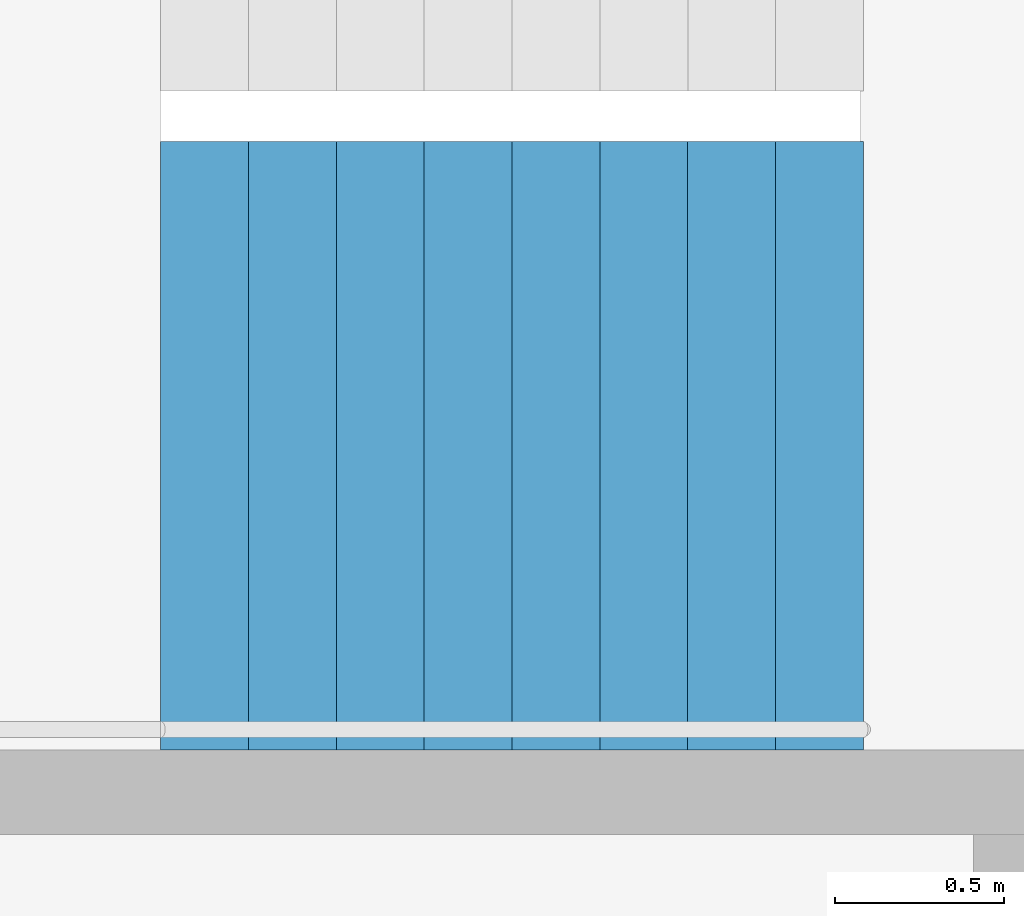
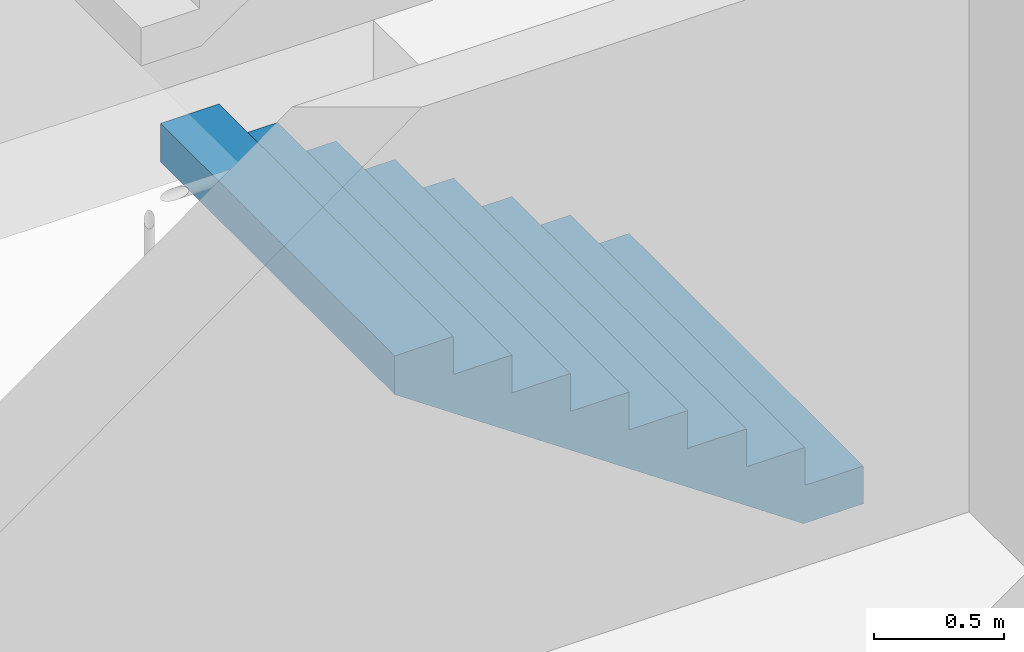
# One storey, part 24 of 26: 1 stair flight, 1 element without a shape of its own.
"""IFC4 building model written with IfcOpenShell, lengths in metres."""

import ifcopenshell
import ifcopenshell.guid

model = None  # the IFC model being written
_history = None  # IfcOwnerHistory: only IFC2X3 demands one
_inside = {}  # id of a spatial element -> (the spatial element, [elements in it])
_under = {}  # id of a project, library or spatial element -> (it, [spatial elements below it])
_declared = {}  # id of a project -> (the project, [libraries it declares])
_typed = {}  # id of a type object -> (the type object, [elements of that type])
_made_of = {}  # id of a material, layer set ... -> (it, [elements and type objects made of it])


def new_model(schema):
    """Start an empty IFC model of exactly this schema.

    Asked for "IFC4X3", IfcOpenShell would pick the latest addendum, in which some entities
    have other attributes; the version numbers below select the first issue.
    IFC2X3 requires an IfcOwnerHistory on every rooted entity: one is made here for all.
    """
    global model, _history
    if schema == "IFC4X3":
        model = ifcopenshell.file(schema_version=(4, 3, 0, 0))
    else:
        model = ifcopenshell.file(schema=schema)
    _inside.clear()
    _under.clear()
    _declared.clear()
    _typed.clear()
    _made_of.clear()
    _history = None
    if model.schema == "IFC2X3":
        org = make("IfcOrganization", Name="unknown")
        user = make(
            "IfcPersonAndOrganization",
            ThePerson=make("IfcPerson", FamilyName="unknown"),
            TheOrganization=org,
        )
        app = make(
            "IfcApplication",
            ApplicationDeveloper=org,
            Version="unknown",
            ApplicationFullName="unknown",
            ApplicationIdentifier="unknown",
        )
        _history = make(
            "IfcOwnerHistory",
            OwningUser=user,
            OwningApplication=app,
            ChangeAction="ADDED",
            CreationDate=0,
        )
    return model


def make(cls, **values):
    """One entity of the class cls with the attributes given. An attribute that is None is left unset."""
    return model.create_entity(
        cls, **{name: value for name, value in values.items() if value is not None}
    )


def rooted(cls, **values):
    """An entity with a GlobalId (a new one), such as an element, a storey or a relation."""
    return make(cls, GlobalId=ifcopenshell.guid.new(), OwnerHistory=_history, **values)


def si_unit(unit_type, name, prefix=None):
    """IfcSIUnit, for example si_unit("LENGTHUNIT", "METRE", prefix="MILLI")."""
    return make("IfcSIUnit", UnitType=unit_type, Prefix=prefix, Name=name)


def assignment(units):
    """IfcUnitAssignment: the units of a project."""
    return None if units is None else make("IfcUnitAssignment", Units=units)


def point(xyz):
    """IfcCartesianPoint."""
    return None if xyz is None else make("IfcCartesianPoint", Coordinates=xyz)


def direction(xyz):
    """IfcDirection."""
    return None if xyz is None else make("IfcDirection", DirectionRatios=xyz)


def frame(location, z_axis=None, x_axis=None):
    """IfcAxis2Placement3D, a coordinate frame: its origin and axes. An axis left out is left unset."""
    return make(
        "IfcAxis2Placement3D",
        Location=point(location),
        Axis=direction(z_axis),
        RefDirection=direction(x_axis),
    )


def origin():
    """The frame at (0, 0, 0) with its axes left unset."""
    return frame((0.0, 0.0, 0.0))


def place(relative_to, where):
    """IfcLocalPlacement: puts the frame where relative to a parent placement (None: the world)."""
    return make(
        "IfcLocalPlacement", PlacementRelTo=relative_to, RelativePlacement=where
    )


def context(
    kind, dimensions, precision=None, world=None, true_north=None, identifier=None
):
    """IfcGeometricRepresentationContext, for example the 3D "Model" context."""
    return make(
        "IfcGeometricRepresentationContext",
        ContextIdentifier=identifier,
        ContextType=kind,
        CoordinateSpaceDimension=dimensions,
        Precision=precision,
        WorldCoordinateSystem=world,
        TrueNorth=true_north,
    )


def subcontext(parent, identifier, kind, view, scale=None):
    """IfcGeometricRepresentationSubContext, for example "Body" below "Model"."""
    return make(
        "IfcGeometricRepresentationSubContext",
        ContextIdentifier=identifier,
        ContextType=kind,
        ParentContext=parent,
        TargetScale=scale,
        TargetView=view,
    )


def project(units=None, contexts=None):
    """IfcProject with its units and contexts."""
    return rooted(
        "IfcProject",
        Name="project",
        RepresentationContexts=contexts,
        UnitsInContext=assignment(units),
    )


def spatial(cls, under=None, at=None, **own):
    """A site, building, storey or space (cls), placed at a placement, below another one or the project."""
    s = rooted(cls, ObjectPlacement=at, **own)
    if under is not None:
        _under.setdefault(under.id(), (under, []))[1].append(s)
    return s


def point_list(points):
    """IfcCartesianPointList2D or 3D."""
    cls = (
        "IfcCartesianPointList2D" if len(points[0]) == 2 else "IfcCartesianPointList3D"
    )
    return make(cls, CoordList=points)


def triangles(points, corners, closed=None, point_numbers=None):
    """IfcTriangulatedFaceSet: each triangle names its three corners, points numbered from 1."""
    return make(
        "IfcTriangulatedFaceSet",
        Coordinates=point_list(points),
        Closed=closed,
        CoordIndex=corners,
        PnIndex=point_numbers,
    )


def shape(context_of_items, identifier, shape_type, items):
    """IfcShapeRepresentation: the items that make up one representation, for example the "Body"."""
    return make(
        "IfcShapeRepresentation",
        ContextOfItems=context_of_items,
        RepresentationIdentifier=identifier,
        RepresentationType=shape_type,
        Items=items,
    )


def material(Name=None, Category=None):
    """IfcMaterial."""
    return make("IfcMaterial", Name=Name, Category=Category)


def made_of(thing, what):
    """Note that an element or type object is made of a material, layer set ...; save() writes the relation."""
    if what is not None:
        _made_of.setdefault(what.id(), (what, []))[1].append(thing)
    return thing


def type_object(cls, material=None, **own):
    """A type object (cls), such as IfcWallType, which elements share."""
    return made_of(rooted(cls, **own), material)


def element(
    cls,
    number,
    at=None,
    inside=None,
    cuts=None,
    type_object=None,
    material=None,
    context=None,
    identifier="Body",
    shape_type=None,
    held_by="IfcProductDefinitionShape",
    body=None,
    shapes=None,
    **own,
):
    """One element of the class cls, such as IfcWall. Its Tag is "e" and its number.

    at: its placement. inside: the storey or other place that contains it. cuts: it is an
    opening in that element (IfcRelVoidsElement). A single representation is given by context,
    identifier, shape_type and body (its items); several are given by shapes. held_by: the class
    of the entity that holds the representations. save() writes the other relations.
    """
    e = rooted(cls, Tag="e%d" % number, ObjectPlacement=at, **own)
    if body is not None:
        shapes = [shape(context, identifier, shape_type, body)]
    if shapes is not None:
        e.Representation = make(held_by, Representations=shapes)
    if inside is not None:
        _inside.setdefault(inside.id(), (inside, []))[1].append(e)
    if cuts is not None:
        rooted(
            "IfcRelVoidsElement", RelatingBuildingElement=cuts, RelatedOpeningElement=e
        )
    if type_object is not None:
        _typed.setdefault(type_object.id(), (type_object, []))[1].append(e)
    return made_of(e, material)


def aggregate(whole, parts):
    """IfcRelAggregates: a whole, such as a stair, and the parts it consists of."""
    return rooted("IfcRelAggregates", RelatingObject=whole, RelatedObjects=parts)


def save(model, path):
    """Write the relations noted so far, then the file.

    IfcRelAggregates (storeys below a building ...), IfcRelContainedInSpatialStructure (elements
    in a storey), IfcRelDefinesByType, IfcRelAssociatesMaterial and IfcRelDeclares: one each for
    every whole, place, type object, material and project.
    """
    for whole, parts in _under.values():
        aggregate(whole, parts)
    for where, things in _inside.values():
        rooted(
            "IfcRelContainedInSpatialStructure",
            RelatedElements=things,
            RelatingStructure=where,
        )
    for kind, things in _typed.values():
        rooted("IfcRelDefinesByType", RelatedObjects=things, RelatingType=kind)
    for what, things in _made_of.values():
        rooted("IfcRelAssociatesMaterial", RelatedObjects=things, RelatingMaterial=what)
    for by, libraries in _declared.values():
        rooted("IfcRelDeclares", RelatingContext=by, RelatedDefinitions=libraries)
    model.write(path)


model = new_model("IFC4")

# Units and contexts
model_context = context("Model", 3, precision=1e-05, world=origin(), true_north=direction((0.0, 1.0)))
body_context = subcontext(model_context, "Body", "Model", "MODEL_VIEW")
ifc_project = project(units=[si_unit("LENGTHUNIT", "METRE"), si_unit("AREAUNIT", "SQUARE_METRE"), si_unit("VOLUMEUNIT", "CUBIC_METRE"), si_unit("PLANEANGLEUNIT", "RADIAN"), si_unit("MASSUNIT", "GRAM", prefix="KILO")], contexts=[model_context])

# Site, building, storey
site_placement = place(None, origin())
site = spatial("IfcSite", under=ifc_project, at=site_placement, CompositionType="ELEMENT")
building_placement = place(site_placement, origin())
building = spatial("IfcBuilding", under=site, at=building_placement, Name="Hakoniwa Tower and Hamabe Station Hall", CompositionType="ELEMENT")
storey_placement = place(building_placement, frame((0.0, 0.0, 159.800048828125)))
storey = spatial("IfcBuildingStorey", under=building, at=storey_placement, Name="L45", CompositionType="ELEMENT", Elevation=159.800048828125)

# Stair, stair flight
ifc_material_1 = material(Name="Concrete C40", Category="concrete")
stair_type = type_object("IfcStairType", Name="ESCAPE STAIR 1800", PredefinedType="HALF_TURN_STAIR", material=ifc_material_1)
stair_placement = place(storey_placement, origin())
stair = element("IfcStair", 1, at=stair_placement, inside=storey, type_object=stair_type, Name="Escape stair ST-3 L45", PredefinedType="HALF_TURN_STAIR")
ifc_material_2 = material(Name="Concrete C40", Category="concrete")
stair_flight_type = type_object("IfcStairFlightType", Name="STAIR FLIGHT 1800", PredefinedType="STRAIGHT", material=ifc_material_2)
stair_flight_placement = place(storey_placement, frame((24.39990234375, 4.64990234375, 0.0), z_axis=(0.0, 0.0, 1.0), x_axis=(-1.0, 0.0, 0.0)))
stair_flight = element("IfcStairFlight", 2, at=stair_flight_placement, type_object=stair_flight_type, Name="ST-3 flight 1", NumberOfRisers=9, NumberOfTreads=8, PredefinedType="STRAIGHT", RiserHeight=0.177777778, TreadLength=0.26, context=body_context, shape_type="Tessellation", body=[
    triangles([(0.0, 0.89990234375, 0.0), (0.260009765625, 0.89990234375, 0.0), (0.265625, 0.89990234375, 0.0), (0.52001953125, 0.89990234375, 0.174072265625), (0.780029296875, 0.89990234375, 0.351806640625), (1.0400390625, 0.89990234375, 0.529541015625), (1.300048828125, 0.89990234375, 0.707275390625), (1.56005859375, 0.89990234375, 0.885009765625), (1.820068359375, 0.89990234375, 1.062744140625), (2.080078125, 0.89990234375, 1.24072265625), (2.080078125, 0.89990234375, 1.422119140625), (1.820068359375, 0.89990234375, 1.422119140625), (1.820068359375, 0.89990234375, 1.244384765625), (1.56005859375, 0.89990234375, 1.244384765625), (1.56005859375, 0.89990234375, 1.066650390625), (1.300048828125, 0.89990234375, 1.066650390625), (1.300048828125, 0.89990234375, 0.888916015625), (1.0400390625, 0.89990234375, 0.888916015625), (1.0400390625, 0.89990234375, 0.711181640625), (0.780029296875, 0.89990234375, 0.711181640625), (0.780029296875, 0.89990234375, 0.533447265625), (0.52001953125, 0.89990234375, 0.533447265625), (0.52001953125, 0.89990234375, 0.35546875), (0.265625, 0.89990234375, 0.35546875), (0.260009765625, 0.89990234375, 0.35546875), (0.260009765625, 0.89990234375, 0.177734375), (0.0, 0.89990234375, 0.177734375), (0.0, 0.06005859375, 0.0), (0.260009765625, 0.06005859375, 0.0), (0.265625, 0.06005859375, 0.0), (0.52001953125, 0.06005859375, 0.174072265625), (0.780029296875, 0.06005859375, 0.351806640625), (1.0400390625, 0.06005859375, 0.529541015625), (1.300048828125, 0.06005859375, 0.707275390625), (1.56005859375, 0.06005859375, 0.885009765625), (1.820068359375, 0.06005859375, 1.062744140625), (2.080078125, 0.06005859375, 1.24072265625), (2.080078125, 0.06005859375, 1.422119140625), (1.820068359375, 0.06005859375, 1.422119140625), (1.820068359375, 0.06005859375, 1.244384765625), (1.56005859375, 0.06005859375, 1.244384765625), (1.56005859375, 0.06005859375, 1.066650390625), (1.300048828125, 0.06005859375, 1.066650390625), (1.300048828125, 0.06005859375, 0.888916015625), (1.0400390625, 0.06005859375, 0.888916015625), (1.0400390625, 0.06005859375, 0.711181640625), (0.780029296875, 0.06005859375, 0.711181640625), (0.780029296875, 0.06005859375, 0.533447265625), (0.52001953125, 0.06005859375, 0.533447265625), (0.52001953125, 0.06005859375, 0.35546875), (0.265625, 0.06005859375, 0.35546875), (0.260009765625, 0.06005859375, 0.35546875), (0.260009765625, 0.06005859375, 0.177734375), (0.0, 0.06005859375, 0.177734375), (0.0, 0.04296875, 0.0), (0.260009765625, 0.04296875, 0.0), (0.265625, 0.04296875, 0.0), (0.52001953125, 0.04296875, 0.174072265625), (0.780029296875, 0.04296875, 0.351806640625), (1.0400390625, 0.04296875, 0.529541015625), (1.300048828125, 0.04296875, 0.707275390625), (1.56005859375, 0.04296875, 0.885009765625), (1.820068359375, 0.04296875, 1.062744140625), (2.080078125, 0.04296875, 1.24072265625), (2.080078125, 0.04296875, 1.422119140625), (1.820068359375, 0.04296875, 1.422119140625), (1.820068359375, 0.04296875, 1.244384765625), (1.56005859375, 0.04296875, 1.244384765625), (1.56005859375, 0.04296875, 1.066650390625), (1.300048828125, 0.04296875, 1.066650390625), (1.300048828125, 0.04296875, 0.888916015625), (1.0400390625, 0.04296875, 0.888916015625), (1.0400390625, 0.04296875, 0.711181640625), (0.780029296875, 0.04296875, 0.711181640625), (0.780029296875, 0.04296875, 0.533447265625), (0.52001953125, 0.04296875, 0.533447265625), (0.52001953125, 0.04296875, 0.35546875), (0.265625, 0.04296875, 0.35546875), (0.260009765625, 0.04296875, 0.35546875), (0.260009765625, 0.04296875, 0.177734375), (0.0, 0.04296875, 0.177734375), (0.0, 0.025634765625, 0.0), (0.260009765625, 0.025634765625, 0.0), (0.265625, 0.025634765625, 0.0), (0.52001953125, 0.025634765625, 0.174072265625), (0.780029296875, 0.025634765625, 0.351806640625), (1.0400390625, 0.025634765625, 0.529541015625), (1.300048828125, 0.025634765625, 0.707275390625), (1.56005859375, 0.025634765625, 0.885009765625), (1.820068359375, 0.025634765625, 1.062744140625), (2.080078125, 0.025634765625, 1.24072265625), (2.080078125, 0.025634765625, 1.422119140625), (1.820068359375, 0.025634765625, 1.422119140625), (1.820068359375, 0.025634765625, 1.244384765625), (1.56005859375, 0.025634765625, 1.244384765625), (1.56005859375, 0.025634765625, 1.066650390625), (1.300048828125, 0.025634765625, 1.066650390625), (1.300048828125, 0.025634765625, 0.888916015625), (1.0400390625, 0.025634765625, 0.888916015625), (1.0400390625, 0.025634765625, 0.711181640625), (0.780029296875, 0.025634765625, 0.711181640625), (0.780029296875, 0.025634765625, 0.533447265625), (0.52001953125, 0.025634765625, 0.533447265625), (0.52001953125, 0.025634765625, 0.35546875), (0.265625, 0.025634765625, 0.35546875), (0.260009765625, 0.025634765625, 0.35546875), (0.260009765625, 0.025634765625, 0.177734375), (0.0, 0.025634765625, 0.177734375), (0.0, 0.008544921875, 0.0), (0.260009765625, 0.008544921875, 0.0), (0.265625, 0.008544921875, 0.0), (0.52001953125, 0.008544921875, 0.174072265625), (0.780029296875, 0.008544921875, 0.351806640625), (1.0400390625, 0.008544921875, 0.529541015625), (1.300048828125, 0.008544921875, 0.707275390625), (1.56005859375, 0.008544921875, 0.885009765625), (1.820068359375, 0.008544921875, 1.062744140625), (2.080078125, 0.008544921875, 1.24072265625), (2.080078125, 0.008544921875, 1.422119140625), (1.820068359375, 0.008544921875, 1.422119140625), (1.820068359375, 0.008544921875, 1.244384765625), (1.56005859375, 0.008544921875, 1.244384765625), (1.56005859375, 0.008544921875, 1.066650390625), (1.300048828125, 0.008544921875, 1.066650390625), (1.300048828125, 0.008544921875, 0.888916015625), (1.0400390625, 0.008544921875, 0.888916015625), (1.0400390625, 0.008544921875, 0.711181640625), (0.780029296875, 0.008544921875, 0.711181640625), (0.780029296875, 0.008544921875, 0.533447265625), (0.52001953125, 0.008544921875, 0.533447265625), (0.52001953125, 0.008544921875, 0.35546875), (0.265625, 0.008544921875, 0.35546875), (0.260009765625, 0.008544921875, 0.35546875), (0.260009765625, 0.008544921875, 0.177734375), (0.0, 0.008544921875, 0.177734375), (0.0, -0.008544921875, 0.0), (0.260009765625, -0.008544921875, 0.0), (0.265625, -0.008544921875, 0.0), (0.52001953125, -0.008544921875, 0.174072265625), (0.780029296875, -0.008544921875, 0.351806640625), (1.0400390625, -0.008544921875, 0.529541015625), (1.300048828125, -0.008544921875, 0.707275390625), (1.56005859375, -0.008544921875, 0.885009765625), (1.820068359375, -0.008544921875, 1.062744140625), (2.080078125, -0.008544921875, 1.24072265625), (2.080078125, -0.008544921875, 1.422119140625), (1.820068359375, -0.008544921875, 1.422119140625), (1.820068359375, -0.008544921875, 1.244384765625), (1.56005859375, -0.008544921875, 1.244384765625), (1.56005859375, -0.008544921875, 1.066650390625), (1.300048828125, -0.008544921875, 1.066650390625), (1.300048828125, -0.008544921875, 0.888916015625), (1.0400390625, -0.008544921875, 0.888916015625), (1.0400390625, -0.008544921875, 0.711181640625), (0.780029296875, -0.008544921875, 0.711181640625), (0.780029296875, -0.008544921875, 0.533447265625), (0.52001953125, -0.008544921875, 0.533447265625), (0.52001953125, -0.008544921875, 0.35546875), (0.265625, -0.008544921875, 0.35546875), (0.260009765625, -0.008544921875, 0.35546875), (0.260009765625, -0.008544921875, 0.177734375), (0.0, -0.008544921875, 0.177734375), (0.0, -0.025634765625, 0.0), (0.260009765625, -0.025634765625, 0.0), (0.265625, -0.025634765625, 0.0), (0.52001953125, -0.025634765625, 0.174072265625), (0.780029296875, -0.025634765625, 0.351806640625), (1.0400390625, -0.025634765625, 0.529541015625), (1.300048828125, -0.025634765625, 0.707275390625), (1.56005859375, -0.025634765625, 0.885009765625), (1.820068359375, -0.025634765625, 1.062744140625), (2.080078125, -0.025634765625, 1.24072265625), (2.080078125, -0.025634765625, 1.422119140625), (1.820068359375, -0.025634765625, 1.422119140625), (1.820068359375, -0.025634765625, 1.244384765625), (1.56005859375, -0.025634765625, 1.244384765625), (1.56005859375, -0.025634765625, 1.066650390625), (1.300048828125, -0.025634765625, 1.066650390625), (1.300048828125, -0.025634765625, 0.888916015625), (1.0400390625, -0.025634765625, 0.888916015625), (1.0400390625, -0.025634765625, 0.711181640625), (0.780029296875, -0.025634765625, 0.711181640625), (0.780029296875, -0.025634765625, 0.533447265625), (0.52001953125, -0.025634765625, 0.533447265625), (0.52001953125, -0.025634765625, 0.35546875), (0.265625, -0.025634765625, 0.35546875), (0.260009765625, -0.025634765625, 0.35546875), (0.260009765625, -0.025634765625, 0.177734375), (0.0, -0.025634765625, 0.177734375), (0.0, -0.04296875, 0.0), (0.260009765625, -0.04296875, 0.0), (0.265625, -0.04296875, 0.0), (0.52001953125, -0.04296875, 0.174072265625), (0.780029296875, -0.04296875, 0.351806640625), (1.0400390625, -0.04296875, 0.529541015625), (1.300048828125, -0.04296875, 0.707275390625), (1.56005859375, -0.04296875, 0.885009765625), (1.820068359375, -0.04296875, 1.062744140625), (2.080078125, -0.04296875, 1.24072265625), (2.080078125, -0.04296875, 1.422119140625), (1.820068359375, -0.04296875, 1.422119140625), (1.820068359375, -0.04296875, 1.244384765625), (1.56005859375, -0.04296875, 1.244384765625), (1.56005859375, -0.04296875, 1.066650390625), (1.300048828125, -0.04296875, 1.066650390625), (1.300048828125, -0.04296875, 0.888916015625), (1.0400390625, -0.04296875, 0.888916015625), (1.0400390625, -0.04296875, 0.711181640625), (0.780029296875, -0.04296875, 0.711181640625), (0.780029296875, -0.04296875, 0.533447265625), (0.52001953125, -0.04296875, 0.533447265625), (0.52001953125, -0.04296875, 0.35546875), (0.265625, -0.04296875, 0.35546875), (0.260009765625, -0.04296875, 0.35546875), (0.260009765625, -0.04296875, 0.177734375), (0.0, -0.04296875, 0.177734375), (0.0, -0.06005859375, 0.0), (0.260009765625, -0.06005859375, 0.0), (0.265625, -0.06005859375, 0.0), (0.52001953125, -0.06005859375, 0.174072265625), (0.780029296875, -0.06005859375, 0.351806640625), (1.0400390625, -0.06005859375, 0.529541015625), (1.300048828125, -0.06005859375, 0.707275390625), (1.56005859375, -0.06005859375, 0.885009765625), (1.820068359375, -0.06005859375, 1.062744140625), (2.080078125, -0.06005859375, 1.24072265625), (2.080078125, -0.06005859375, 1.422119140625), (1.820068359375, -0.06005859375, 1.422119140625), (1.820068359375, -0.06005859375, 1.244384765625), (1.56005859375, -0.06005859375, 1.244384765625), (1.56005859375, -0.06005859375, 1.066650390625), (1.300048828125, -0.06005859375, 1.066650390625), (1.300048828125, -0.06005859375, 0.888916015625), (1.0400390625, -0.06005859375, 0.888916015625), (1.0400390625, -0.06005859375, 0.711181640625), (0.780029296875, -0.06005859375, 0.711181640625), (0.780029296875, -0.06005859375, 0.533447265625), (0.52001953125, -0.06005859375, 0.533447265625), (0.52001953125, -0.06005859375, 0.35546875), (0.265625, -0.06005859375, 0.35546875), (0.260009765625, -0.06005859375, 0.35546875), (0.260009765625, -0.06005859375, 0.177734375), (0.0, -0.06005859375, 0.177734375), (0.0, -0.89990234375, 0.0), (0.260009765625, -0.89990234375, 0.0), (0.265625, -0.89990234375, 0.0), (0.52001953125, -0.89990234375, 0.174072265625), (0.780029296875, -0.89990234375, 0.351806640625), (1.0400390625, -0.89990234375, 0.529541015625), (1.300048828125, -0.89990234375, 0.707275390625), (1.56005859375, -0.89990234375, 0.885009765625), (1.820068359375, -0.89990234375, 1.062744140625), (2.080078125, -0.89990234375, 1.24072265625), (2.080078125, -0.89990234375, 1.422119140625), (1.820068359375, -0.89990234375, 1.422119140625), (1.820068359375, -0.89990234375, 1.244384765625), (1.56005859375, -0.89990234375, 1.244384765625), (1.56005859375, -0.89990234375, 1.066650390625), (1.300048828125, -0.89990234375, 1.066650390625), (1.300048828125, -0.89990234375, 0.888916015625), (1.0400390625, -0.89990234375, 0.888916015625), (1.0400390625, -0.89990234375, 0.711181640625), (0.780029296875, -0.89990234375, 0.711181640625), (0.780029296875, -0.89990234375, 0.533447265625), (0.52001953125, -0.89990234375, 0.533447265625), (0.52001953125, -0.89990234375, 0.35546875), (0.265625, -0.89990234375, 0.35546875), (0.260009765625, -0.89990234375, 0.35546875), (0.260009765625, -0.89990234375, 0.177734375), (0.0, -0.89990234375, 0.177734375)], [[2, 27, 26], [245, 269, 270], [2, 1, 27], [245, 270, 244], [3, 25, 24], [246, 267, 268], [3, 26, 25], [246, 268, 269], [3, 2, 26], [246, 269, 245], [4, 24, 23], [247, 266, 267], [4, 3, 24], [247, 267, 246], [5, 22, 21], [248, 264, 265], [5, 23, 22], [248, 265, 266], [5, 4, 23], [248, 266, 247], [6, 20, 19], [249, 262, 263], [6, 21, 20], [249, 263, 264], [6, 5, 21], [249, 264, 248], [7, 18, 17], [250, 260, 261], [7, 19, 18], [250, 261, 262], [7, 6, 19], [250, 262, 249], [8, 16, 15], [251, 258, 259], [8, 17, 16], [251, 259, 260], [8, 7, 17], [251, 260, 250], [9, 14, 13], [252, 256, 257], [9, 15, 14], [252, 257, 258], [9, 8, 15], [252, 258, 251], [10, 12, 11], [253, 254, 255], [10, 13, 12], [253, 255, 256], [10, 9, 13], [253, 256, 252], [1, 2, 29], [1, 29, 28], [28, 29, 56], [28, 56, 55], [55, 56, 83], [55, 83, 82], [82, 83, 110], [82, 110, 109], [109, 110, 137], [109, 137, 136], [136, 137, 164], [136, 164, 163], [163, 164, 191], [163, 191, 190], [190, 191, 218], [190, 218, 217], [217, 218, 245], [217, 245, 244], [2, 3, 30], [2, 30, 29], [29, 30, 57], [29, 57, 56], [56, 57, 84], [56, 84, 83], [83, 84, 111], [83, 111, 110], [110, 111, 138], [110, 138, 137], [137, 138, 165], [137, 165, 164], [164, 165, 192], [164, 192, 191], [191, 192, 219], [191, 219, 218], [218, 219, 246], [218, 246, 245], [3, 4, 31], [3, 31, 30], [30, 31, 58], [30, 58, 57], [57, 58, 85], [57, 85, 84], [84, 85, 112], [84, 112, 111], [111, 112, 139], [111, 139, 138], [138, 139, 166], [138, 166, 165], [165, 166, 193], [165, 193, 192], [192, 193, 220], [192, 220, 219], [219, 220, 247], [219, 247, 246], [4, 5, 32], [4, 32, 31], [31, 32, 59], [31, 59, 58], [58, 59, 86], [58, 86, 85], [85, 86, 113], [85, 113, 112], [112, 113, 140], [112, 140, 139], [139, 140, 167], [139, 167, 166], [166, 167, 194], [166, 194, 193], [193, 194, 221], [193, 221, 220], [220, 221, 248], [220, 248, 247], [5, 6, 33], [5, 33, 32], [32, 33, 60], [32, 60, 59], [59, 60, 87], [59, 87, 86], [86, 87, 114], [86, 114, 113], [113, 114, 141], [113, 141, 140], [140, 141, 168], [140, 168, 167], [167, 168, 195], [167, 195, 194], [194, 195, 222], [194, 222, 221], [221, 222, 249], [221, 249, 248], [6, 7, 34], [6, 34, 33], [33, 34, 61], [33, 61, 60], [60, 61, 88], [60, 88, 87], [87, 88, 115], [87, 115, 114], [114, 115, 142], [114, 142, 141], [141, 142, 169], [141, 169, 168], [168, 169, 196], [168, 196, 195], [195, 196, 223], [195, 223, 222], [222, 223, 250], [222, 250, 249], [7, 8, 35], [7, 35, 34], [34, 35, 62], [34, 62, 61], [61, 62, 89], [61, 89, 88], [88, 89, 116], [88, 116, 115], [115, 116, 143], [115, 143, 142], [142, 143, 170], [142, 170, 169], [169, 170, 197], [169, 197, 196], [196, 197, 224], [196, 224, 223], [223, 224, 251], [223, 251, 250], [8, 9, 36], [8, 36, 35], [35, 36, 63], [35, 63, 62], [62, 63, 90], [62, 90, 89], [89, 90, 117], [89, 117, 116], [116, 117, 144], [116, 144, 143], [143, 144, 171], [143, 171, 170], [170, 171, 198], [170, 198, 197], [197, 198, 225], [197, 225, 224], [224, 225, 252], [224, 252, 251], [9, 10, 37], [9, 37, 36], [36, 37, 64], [36, 64, 63], [63, 64, 91], [63, 91, 90], [90, 91, 118], [90, 118, 117], [117, 118, 145], [117, 145, 144], [144, 145, 172], [144, 172, 171], [171, 172, 199], [171, 199, 198], [198, 199, 226], [198, 226, 225], [225, 226, 253], [225, 253, 252], [10, 11, 38], [10, 38, 37], [37, 38, 65], [37, 65, 64], [64, 65, 92], [64, 92, 91], [91, 92, 119], [91, 119, 118], [118, 119, 146], [118, 146, 145], [145, 146, 173], [145, 173, 172], [172, 173, 200], [172, 200, 199], [199, 200, 227], [199, 227, 226], [226, 227, 254], [226, 254, 253], [11, 12, 39], [11, 39, 38], [38, 39, 66], [38, 66, 65], [65, 66, 93], [65, 93, 92], [92, 93, 120], [92, 120, 119], [119, 120, 147], [119, 147, 146], [146, 147, 174], [146, 174, 173], [173, 174, 201], [173, 201, 200], [200, 201, 228], [200, 228, 227], [227, 228, 255], [227, 255, 254], [12, 13, 40], [12, 40, 39], [39, 40, 67], [39, 67, 66], [66, 67, 94], [66, 94, 93], [93, 94, 121], [93, 121, 120], [120, 121, 148], [120, 148, 147], [147, 148, 175], [147, 175, 174], [174, 175, 202], [174, 202, 201], [201, 202, 229], [201, 229, 228], [228, 229, 256], [228, 256, 255], [13, 14, 41], [13, 41, 40], [40, 41, 68], [40, 68, 67], [67, 68, 95], [67, 95, 94], [94, 95, 122], [94, 122, 121], [121, 122, 149], [121, 149, 148], [148, 149, 176], [148, 176, 175], [175, 176, 203], [175, 203, 202], [202, 203, 230], [202, 230, 229], [229, 230, 257], [229, 257, 256], [14, 15, 42], [14, 42, 41], [41, 42, 69], [41, 69, 68], [68, 69, 96], [68, 96, 95], [95, 96, 123], [95, 123, 122], [122, 123, 150], [122, 150, 149], [149, 150, 177], [149, 177, 176], [176, 177, 204], [176, 204, 203], [203, 204, 231], [203, 231, 230], [230, 231, 258], [230, 258, 257], [15, 16, 43], [15, 43, 42], [42, 43, 70], [42, 70, 69], [69, 70, 97], [69, 97, 96], [96, 97, 124], [96, 124, 123], [123, 124, 151], [123, 151, 150], [150, 151, 178], [150, 178, 177], [177, 178, 205], [177, 205, 204], [204, 205, 232], [204, 232, 231], [231, 232, 259], [231, 259, 258], [16, 17, 44], [16, 44, 43], [43, 44, 71], [43, 71, 70], [70, 71, 98], [70, 98, 97], [97, 98, 125], [97, 125, 124], [124, 125, 152], [124, 152, 151], [151, 152, 179], [151, 179, 178], [178, 179, 206], [178, 206, 205], [205, 206, 233], [205, 233, 232], [232, 233, 260], [232, 260, 259], [17, 18, 45], [17, 45, 44], [44, 45, 72], [44, 72, 71], [71, 72, 99], [71, 99, 98], [98, 99, 126], [98, 126, 125], [125, 126, 153], [125, 153, 152], [152, 153, 180], [152, 180, 179], [179, 180, 207], [179, 207, 206], [206, 207, 234], [206, 234, 233], [233, 234, 261], [233, 261, 260], [18, 19, 46], [18, 46, 45], [45, 46, 73], [45, 73, 72], [72, 73, 100], [72, 100, 99], [99, 100, 127], [99, 127, 126], [126, 127, 154], [126, 154, 153], [153, 154, 181], [153, 181, 180], [180, 181, 208], [180, 208, 207], [207, 208, 235], [207, 235, 234], [234, 235, 262], [234, 262, 261], [19, 20, 47], [19, 47, 46], [46, 47, 74], [46, 74, 73], [73, 74, 101], [73, 101, 100], [100, 101, 128], [100, 128, 127], [127, 128, 155], [127, 155, 154], [154, 155, 182], [154, 182, 181], [181, 182, 209], [181, 209, 208], [208, 209, 236], [208, 236, 235], [235, 236, 263], [235, 263, 262], [20, 21, 48], [20, 48, 47], [47, 48, 75], [47, 75, 74], [74, 75, 102], [74, 102, 101], [101, 102, 129], [101, 129, 128], [128, 129, 156], [128, 156, 155], [155, 156, 183], [155, 183, 182], [182, 183, 210], [182, 210, 209], [209, 210, 237], [209, 237, 236], [236, 237, 264], [236, 264, 263], [21, 22, 49], [21, 49, 48], [48, 49, 76], [48, 76, 75], [75, 76, 103], [75, 103, 102], [102, 103, 130], [102, 130, 129], [129, 130, 157], [129, 157, 156], [156, 157, 184], [156, 184, 183], [183, 184, 211], [183, 211, 210], [210, 211, 238], [210, 238, 237], [237, 238, 265], [237, 265, 264], [22, 23, 50], [22, 50, 49], [49, 50, 77], [49, 77, 76], [76, 77, 104], [76, 104, 103], [103, 104, 131], [103, 131, 130], [130, 131, 158], [130, 158, 157], [157, 158, 185], [157, 185, 184], [184, 185, 212], [184, 212, 211], [211, 212, 239], [211, 239, 238], [238, 239, 266], [238, 266, 265], [23, 24, 51], [23, 51, 50], [50, 51, 78], [50, 78, 77], [77, 78, 105], [77, 105, 104], [104, 105, 132], [104, 132, 131], [131, 132, 159], [131, 159, 158], [158, 159, 186], [158, 186, 185], [185, 186, 213], [185, 213, 212], [212, 213, 240], [212, 240, 239], [239, 240, 267], [239, 267, 266], [24, 25, 52], [24, 52, 51], [51, 52, 79], [51, 79, 78], [78, 79, 106], [78, 106, 105], [105, 106, 133], [105, 133, 132], [132, 133, 160], [132, 160, 159], [159, 160, 187], [159, 187, 186], [186, 187, 214], [186, 214, 213], [213, 214, 241], [213, 241, 240], [240, 241, 268], [240, 268, 267], [25, 26, 53], [25, 53, 52], [52, 53, 80], [52, 80, 79], [79, 80, 107], [79, 107, 106], [106, 107, 134], [106, 134, 133], [133, 134, 161], [133, 161, 160], [160, 161, 188], [160, 188, 187], [187, 188, 215], [187, 215, 214], [214, 215, 242], [214, 242, 241], [241, 242, 269], [241, 269, 268], [26, 27, 54], [26, 54, 53], [53, 54, 81], [53, 81, 80], [80, 81, 108], [80, 108, 107], [107, 108, 135], [107, 135, 134], [134, 135, 162], [134, 162, 161], [161, 162, 189], [161, 189, 188], [188, 189, 216], [188, 216, 215], [215, 216, 243], [215, 243, 242], [242, 243, 270], [242, 270, 269], [27, 1, 28], [27, 28, 54], [54, 28, 55], [54, 55, 81], [81, 55, 82], [81, 82, 108], [108, 82, 109], [108, 109, 135], [135, 109, 136], [135, 136, 162], [162, 136, 163], [162, 163, 189], [189, 163, 190], [189, 190, 216], [216, 190, 217], [216, 217, 243], [243, 217, 244], [243, 244, 270]], closed=True),
])
aggregate(stair, [stair_flight])

save(model, "model.ifc")
